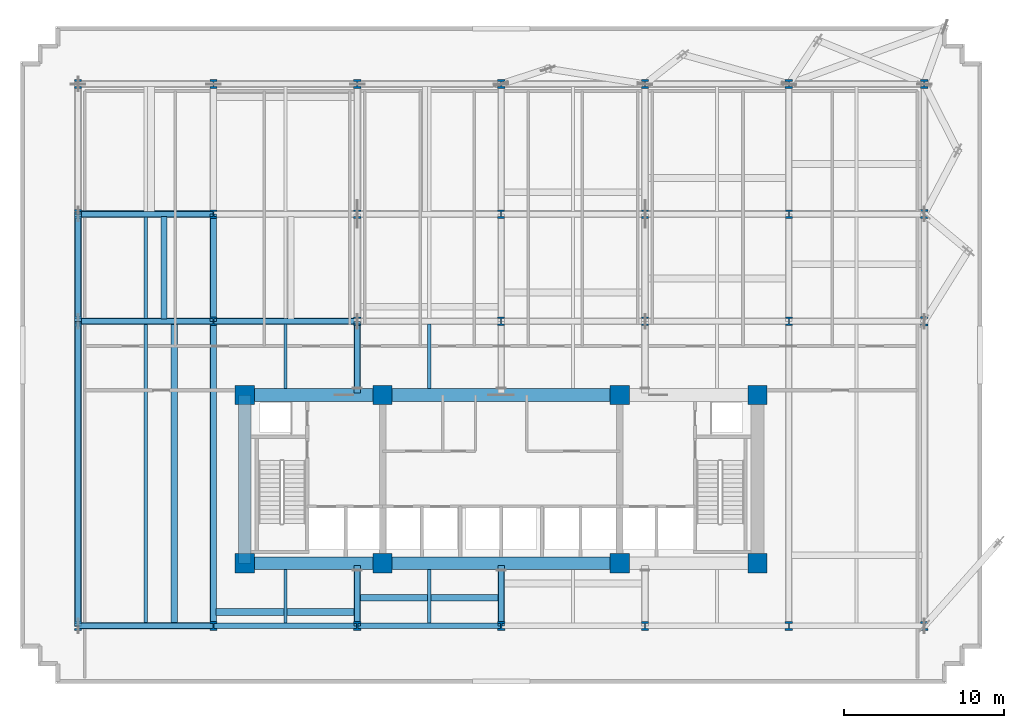
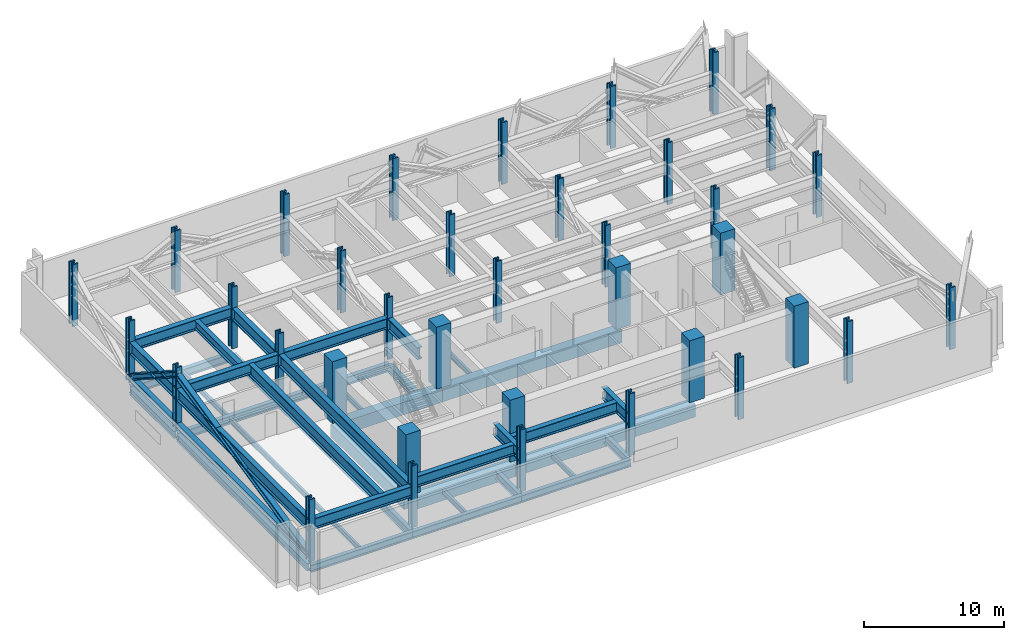
# One storey, part 1 of 9: 39 beams, 36 columns, 4 members.
"""IFC4 building model written with IfcOpenShell, lengths in metres."""

from ifc_helpers import new_model, si_unit, direction, frame, origin, origin_2d, place, context, subcontext, project, spatial, rectangle, i_section, extrude, material, material_profile, profile_set, type_object, element, save


model = new_model("IFC4")

# Units and contexts
model_context = context("Model", 3, precision=1e-05, world=origin(), true_north=direction((0.0, 1.0)))
body_context = subcontext(model_context, "Body", "Model", "MODEL_VIEW")
ifc_project = project(units=[si_unit("LENGTHUNIT", "METRE"), si_unit("AREAUNIT", "SQUARE_METRE"), si_unit("VOLUMEUNIT", "CUBIC_METRE"), si_unit("PLANEANGLEUNIT", "RADIAN"), si_unit("MASSUNIT", "GRAM", prefix="KILO")], contexts=[model_context])

# Site, building, storey
site_placement = place(None, origin())
site = spatial("IfcSite", under=ifc_project, at=site_placement, CompositionType="ELEMENT")
building_placement = place(site_placement, origin())
building = spatial("IfcBuilding", under=site, at=building_placement, Name="Solmavex Isthmus Hotel", CompositionType="ELEMENT")
storey_placement = place(building_placement, frame((0.0, 0.0, 74.699951171875)))
storey = spatial("IfcBuildingStorey", under=building, at=storey_placement, Name="L20", CompositionType="ELEMENT", Elevation=74.699951171875)

# Columns
ifc_material_1 = material(Name="Concrete C70/85", Category="concrete")
ifc_material_profile_1 = material_profile(ifc_material_1, rectangle(XDim=1.199951171875, YDim=1.199951171875, at=origin_2d()), Name="RC1200X1200")
ifc_profile_set_1 = profile_set([ifc_material_profile_1], Name="Concrete C70/85")
column_type_1 = type_object("IfcColumnType", Name="COL-CC-1200", PredefinedType="COLUMN", material=ifc_profile_set_1)
for number, where, z_axis, x_axis, name in (
    (1, (-16.0, -13.0, 0.0), (0.0, 0.0, 1.0), (1.0, 0.0, 0.0), "Core Pilaster CC-SW L20"),
    (2, (-7.39990234375, -13.0, 0.0), (0.0, 0.0, 1.0), (1.0, 0.0, 0.0), "Core Pilaster CC-S1 L20"),
    (3, (7.39990234375, -13.0, 0.0), (0.0, 0.0, 1.0), (1.0, 0.0, 0.0), "Core Pilaster CC-S2 L20"),
    (4, (16.0, -13.0, 0.0), (0.0, 0.0, 1.0), (1.0, 0.0, 0.0), "Core Pilaster CC-SE L20"),
    (5, (-16.0, -2.5, 0.0), (0.0, 0.0, 1.0), (1.0, 0.0, 0.0), "Core Pilaster CC-NW L20"),
    (6, (-7.39990234375, -2.5, 0.0), (0.0, 0.0, 1.0), (1.0, 0.0, 0.0), "Core Pilaster CC-N1 L20"),
    (7, (7.39990234375, -2.5, 0.0), (0.0, 0.0, 1.0), (1.0, 0.0, 0.0), "Core Pilaster CC-N2 L20"),
    (8, (16.0, -2.5, 0.0), (0.0, 0.0, 1.0), (1.0, 0.0, 0.0), "Core Pilaster CC-NE L20"),
):
    element("IfcColumn", number, at=place(storey_placement, frame(where, z_axis=z_axis, x_axis=x_axis)), inside=storey, type_object=column_type_1, Name=name, PredefinedType="COLUMN", context=body_context, shape_type="SweptSolid", body=[
        extrude(rectangle(XDim=1.199951171875, YDim=1.199951171875, at=origin_2d()), origin(), (0.0, 0.0, 1.0), 5.400146484375),
    ])
ifc_material_2 = material(Name="Steel ASTM A913 Grade 65", Category="steel")
ifc_material_profile_2 = material_profile(ifc_material_2, i_section(OverallWidth=0.442138671875, OverallDepth=0.531494140625, WebThickness=0.06591796875, FlangeThickness=0.105712890625, FilletRadius=0.030517578125, at=origin_2d()), Name="W14X605")
ifc_profile_set_2 = profile_set([ifc_material_profile_2], Name="Steel ASTM A913 Grade 65")
column_type_2 = type_object("IfcColumnType", Name="COL-SC-W14X605", PredefinedType="COLUMN", material=ifc_profile_set_2)
for number, where, z_axis, x_axis, name in (
    (9, (-17.951904296875, 2.10009765625, 0.0), (0.0, 0.0, 1.0), (1.0, 0.0, 0.0), "Tower Column B1-U2V2 L20"),
    (10, (-17.951904296875, 8.7880859375, 0.0), (0.0, 0.0, 1.0), (1.0, 0.0, 0.0), "Tower Column B1-U2V3 L20"),
    (11, (-8.97607421875, 2.10009765625, 0.0), (0.0, 0.0, 1.0), (1.0, 0.0, 0.0), "Tower Column B1-U3V2 L20"),
    (12, (-8.97607421875, 8.7880859375, 0.0), (0.0, 0.0, 1.0), (1.0, 0.0, 0.0), "Tower Column B1-U3V3 L20"),
    (13, (0.0, 2.10009765625, 0.0), (0.0, 0.0, 1.0), (1.0, 0.0, 0.0), "Tower Column B1-U4V2 L20"),
    (14, (0.0, 8.7880859375, 0.0), (0.0, 0.0, 1.0), (1.0, 0.0, 0.0), "Tower Column B1-U4V3 L20"),
    (15, (8.97607421875, 2.10009765625, 0.0), (0.0, 0.0, 1.0), (1.0, 0.0, 0.0), "Tower Column B1-U5V2 L20"),
    (16, (8.97607421875, 8.7880859375, 0.0), (0.0, 0.0, 1.0), (1.0, 0.0, 0.0), "Tower Column B1-U5V3 L20"),
    (17, (17.951904296875, 2.10009765625, 0.0), (0.0, 0.0, 1.0), (1.0, 0.0, 0.0), "Tower Column B1-U6V2 L20"),
    (18, (17.951904296875, 8.7880859375, 0.0), (0.0, 0.0, 1.0), (1.0, 0.0, 0.0), "Tower Column B1-U6V3 L20"),
):
    element("IfcColumn", number, at=place(storey_placement, frame(where, z_axis=z_axis, x_axis=x_axis)), inside=storey, type_object=column_type_2, Name=name, PredefinedType="COLUMN", context=body_context, shape_type="SweptSolid", body=[
        extrude(i_section(OverallWidth=0.442138671875, OverallDepth=0.531494140625, WebThickness=0.06591796875, FlangeThickness=0.105712890625, FilletRadius=0.030517578125, at=origin_2d()), origin(), (0.0, 0.0, 1.0), 5.400146484375),
    ])
ifc_material_profile_3 = material_profile(ifc_material_2, i_section(OverallWidth=0.454345703125, OverallDepth=0.569091796875, WebThickness=0.077880859375, FlangeThickness=0.124755859375, FilletRadius=0.030517578125, at=origin_2d()), Name="W14X730")
ifc_profile_set_3 = profile_set([ifc_material_profile_3], Name="Steel ASTM A913 Grade 65")
column_type_3 = type_object("IfcColumnType", Name="COL-SC-W14X730", PredefinedType="COLUMN", material=ifc_profile_set_3)
for number, where, z_axis, x_axis, name in (
    (19, (-26.39990234375, -16.89990234375, 0.0), (0.0, 0.0, 1.0), (1.0, 0.0, 0.0), "Tower Column B1-U1V1 L20"),
    (20, (-26.39990234375, 2.10009765625, 0.0), (0.0, 0.0, 1.0), (1.0, 0.0, 0.0), "Tower Column B1-U1V2 L20"),
    (21, (-26.39990234375, 8.7880859375, 0.0), (0.0, 0.0, 1.0), (1.0, 0.0, 0.0), "Tower Column B1-U1V3 L20"),
    (22, (-26.39990234375, 16.89990234375, 0.0), (0.0, 0.0, 1.0), (1.0, 0.0, 0.0), "Tower Column B1-U1V4 L20"),
    (23, (-17.951904296875, -16.89990234375, 0.0), (0.0, 0.0, 1.0), (1.0, 0.0, 0.0), "Tower Column B1-U2V1 L20"),
    (24, (-17.951904296875, 16.89990234375, 0.0), (0.0, 0.0, 1.0), (1.0, 0.0, 0.0), "Tower Column B1-U2V4 L20"),
    (25, (-8.97607421875, -16.89990234375, 0.0), (0.0, 0.0, 1.0), (1.0, 0.0, 0.0), "Tower Column B1-U3V1 L20"),
    (26, (-8.97607421875, 16.89990234375, 0.0), (0.0, 0.0, 1.0), (1.0, 0.0, 0.0), "Tower Column B1-U3V4 L20"),
    (27, (0.0, -16.89990234375, 0.0), (0.0, 0.0, 1.0), (1.0, 0.0, 0.0), "Tower Column B1-U4V1 L20"),
    (28, (0.0, 16.89990234375, 0.0), (0.0, 0.0, 1.0), (1.0, 0.0, 0.0), "Tower Column B1-U4V4 L20"),
    (29, (8.97607421875, -16.89990234375, 0.0), (0.0, 0.0, 1.0), (1.0, 0.0, 0.0), "Tower Column B1-U5V1 L20"),
    (30, (8.97607421875, 16.89990234375, 0.0), (0.0, 0.0, 1.0), (1.0, 0.0, 0.0), "Tower Column B1-U5V4 L20"),
    (31, (17.951904296875, -16.89990234375, 0.0), (0.0, 0.0, 1.0), (1.0, 0.0, 0.0), "Tower Column B1-U6V1 L20"),
    (32, (17.951904296875, 16.89990234375, 0.0), (0.0, 0.0, 1.0), (1.0, 0.0, 0.0), "Tower Column B1-U6V4 L20"),
    (33, (26.39990234375, -16.89990234375, 0.0), (0.0, 0.0, 1.0), (1.0, 0.0, 0.0), "Tower Column B1-U7V1 L20"),
    (34, (26.39990234375, 2.10009765625, 0.0), (0.0, 0.0, 1.0), (1.0, 0.0, 0.0), "Tower Column B1-U7V2 L20"),
    (35, (26.39990234375, 8.7880859375, 0.0), (0.0, 0.0, 1.0), (1.0, 0.0, 0.0), "Tower Column B1-U7V3 L20"),
    (36, (26.39990234375, 16.89990234375, 0.0), (0.0, 0.0, 1.0), (1.0, 0.0, 0.0), "Tower Column B1-U7V4 L20"),
):
    element("IfcColumn", number, at=place(storey_placement, frame(where, z_axis=z_axis, x_axis=x_axis)), inside=storey, type_object=column_type_3, Name=name, PredefinedType="COLUMN", context=body_context, shape_type="SweptSolid", body=[
        extrude(i_section(OverallWidth=0.454345703125, OverallDepth=0.569091796875, WebThickness=0.077880859375, FlangeThickness=0.124755859375, FilletRadius=0.030517578125, at=origin_2d()), origin(), (0.0, 0.0, 1.0), 5.400146484375),
    ])

# Beams
ifc_material_3 = material(Name="Steel ASTM A992 Grade 50", Category="steel")
ifc_material_profile_4 = material_profile(ifc_material_3, i_section(OverallWidth=0.354736328125, OverallDepth=0.695556640625, WebThickness=0.015380859375, FlangeThickness=0.02490234375, FilletRadius=0.017822265625, at=origin_2d()), Name="W27X146")
ifc_profile_set_4 = profile_set([ifc_material_profile_4], Name="Steel ASTM A992 Grade 50")
beam_type_1 = type_object("IfcBeamType", Name="BM-BG-W27X146", PredefinedType="BEAM", material=ifc_profile_set_4)
beam_1_placement = place(storey_placement, frame((-26.39990234375, 2.10009765625, -0.797607421875), z_axis=(1.0, 0.0, 0.0), x_axis=(0.0, 1.0, 0.0)))
element("IfcBeam", 37, at=beam_1_placement, inside=storey, type_object=beam_type_1, Name="Floor Girder L20-UG07", PredefinedType="BEAM", context=body_context, shape_type="SweptSolid", body=[
    extrude(i_section(OverallWidth=0.354736328125, OverallDepth=0.695556640625, WebThickness=0.015380859375, FlangeThickness=0.02490234375, FilletRadius=0.017822265625, at=origin_2d()), origin(), (0.0, 0.0, 1.0), 8.447998046875),
])
beam_2_placement = place(storey_placement, frame((-17.951904296875, 2.10009765625, -0.797607421875), z_axis=(1.0, 0.0, 0.0), x_axis=(0.0, 1.0, 0.0)))
element("IfcBeam", 38, at=beam_2_placement, inside=storey, type_object=beam_type_1, Name="Floor Girder L20-UG08", PredefinedType="BEAM", context=body_context, shape_type="SweptSolid", body=[
    extrude(i_section(OverallWidth=0.354736328125, OverallDepth=0.695556640625, WebThickness=0.015380859375, FlangeThickness=0.02490234375, FilletRadius=0.017822265625, at=origin_2d()), origin(), (0.0, 0.0, 1.0), 8.975830078125),
])
beam_3_placement = place(storey_placement, frame((-26.39990234375, 8.7880859375, -0.797607421875), z_axis=(1.0, 0.0, 0.0), x_axis=(0.0, 1.0, 0.0)))
element("IfcBeam", 39, at=beam_3_placement, inside=storey, type_object=beam_type_1, Name="Floor Girder L20-UG13", PredefinedType="BEAM", context=body_context, shape_type="SweptSolid", body=[
    extrude(i_section(OverallWidth=0.354736328125, OverallDepth=0.695556640625, WebThickness=0.015380859375, FlangeThickness=0.02490234375, FilletRadius=0.017822265625, at=origin_2d()), origin(), (0.0, 0.0, 1.0), 8.447998046875),
])
beam_4_placement = place(storey_placement, frame((-17.951904296875, -16.73681640625, -0.797607421875), z_axis=(0.0, 1.0, 0.0), x_axis=(-1.0, 0.0, 0.0)))
element("IfcBeam", 40, at=beam_4_placement, inside=storey, type_object=beam_type_1, Name="Floor Beam L20-VG28", PredefinedType="BEAM", context=body_context, shape_type="SweptSolid", body=[
    extrude(i_section(OverallWidth=0.354736328125, OverallDepth=0.695556640625, WebThickness=0.015380859375, FlangeThickness=0.02490234375, FilletRadius=0.017822265625, at=origin_2d()), origin(), (0.0, 0.0, 1.0), 18.659423828125),
])
beam_5_placement = place(storey_placement, frame((-17.951904296875, 2.27734375, -0.797607421875), z_axis=(0.0, 1.0, 0.0), x_axis=(-1.0, 0.0, 0.0)))
element("IfcBeam", 41, at=beam_5_placement, inside=storey, type_object=beam_type_1, Name="Floor Beam L20-VG29", PredefinedType="BEAM", context=body_context, shape_type="SweptSolid", body=[
    extrude(i_section(OverallWidth=0.354736328125, OverallDepth=0.695556640625, WebThickness=0.015380859375, FlangeThickness=0.02490234375, FilletRadius=0.017822265625, at=origin_2d()), origin(), (0.0, 0.0, 1.0), 6.333251953125),
])
beam_6_placement = place(storey_placement, frame((-8.97607421875, -16.73681640625, -0.797607421875), z_axis=(0.0, 1.0, 0.0), x_axis=(-1.0, 0.0, 0.0)))
element("IfcBeam", 42, at=beam_6_placement, inside=storey, type_object=beam_type_1, Name="Floor Beam L20-VG31", PredefinedType="BEAM", context=body_context, shape_type="SweptSolid", body=[
    extrude(i_section(OverallWidth=0.354736328125, OverallDepth=0.695556640625, WebThickness=0.015380859375, FlangeThickness=0.02490234375, FilletRadius=0.017822265625, at=origin_2d()), origin(), (0.0, 0.0, 1.0), 3.3369140625),
])
beam_7_placement = place(storey_placement, frame((-8.97607421875, -2.10009765625, -0.797607421875), z_axis=(0.0, 1.0, 0.0), x_axis=(-1.0, 0.0, 0.0)))
element("IfcBeam", 43, at=beam_7_placement, inside=storey, type_object=beam_type_1, Name="Floor Beam L20-VG32", PredefinedType="BEAM", context=body_context, shape_type="SweptSolid", body=[
    extrude(i_section(OverallWidth=0.354736328125, OverallDepth=0.695556640625, WebThickness=0.015380859375, FlangeThickness=0.02490234375, FilletRadius=0.017822265625, at=origin_2d()), origin(), (0.0, 0.0, 1.0), 4.022705078125),
])
beam_8_placement = place(storey_placement, frame((0.0, -16.73681640625, -0.797607421875), z_axis=(0.0, 1.0, 0.0), x_axis=(-1.0, 0.0, 0.0)))
element("IfcBeam", 44, at=beam_8_placement, inside=storey, type_object=beam_type_1, Name="Floor Beam L20-VG35", PredefinedType="BEAM", context=body_context, shape_type="SweptSolid", body=[
    extrude(i_section(OverallWidth=0.354736328125, OverallDepth=0.695556640625, WebThickness=0.015380859375, FlangeThickness=0.02490234375, FilletRadius=0.017822265625, at=origin_2d()), origin(), (0.0, 0.0, 1.0), 3.3369140625),
])
ifc_material_profile_5 = material_profile(ifc_material_3, i_section(OverallWidth=0.380615234375, OverallDepth=0.773193359375, WebThickness=0.0166015625, FlangeThickness=0.027099609375, FilletRadius=0.01904296875, at=origin_2d()), Name="W30X173")
ifc_profile_set_5 = profile_set([ifc_material_profile_5], Name="Steel ASTM A992 Grade 50")
beam_type_2 = type_object("IfcBeamType", Name="BM-BG-W30X173", PredefinedType="BEAM", material=ifc_profile_set_5)
beam_9_placement = place(storey_placement, frame((-21.04150390625, 2.2548828125, 3.183349609375), z_axis=(0.0, 1.0, 0.0), x_axis=(-1.0, 0.0, 0.0)))
element("IfcBeam", 45, at=beam_9_placement, inside=storey, type_object=beam_type_2, Name="Floor Framing Cross Girder L20-XLC45", PredefinedType="BEAM", context=body_context, shape_type="SweptSolid", body=[
    extrude(i_section(OverallWidth=0.380615234375, OverallDepth=0.773193359375, WebThickness=0.0166015625, FlangeThickness=0.027099609375, FilletRadius=0.01904296875, at=origin_2d()), origin(), (0.0, 0.0, 1.0), 6.378173828125),
])
ifc_material_profile_6 = material_profile(ifc_material_3, i_section(OverallWidth=0.1904296875, OverallDepth=0.456787109375, WebThickness=0.009033203125, FlangeThickness=0.014404296875, FilletRadius=0.0126953125, at=origin_2d()), Name="W18X50")
ifc_profile_set_6 = profile_set([ifc_material_profile_6], Name="Steel ASTM A992 Grade 50")
beam_type_3 = type_object("IfcBeamType", Name="BM-BJ-W18X50", PredefinedType="JOIST", material=ifc_profile_set_6)
beam_10_placement = place(storey_placement, frame((-22.176025390625, -16.73681640625, -0.678466796875), z_axis=(0.0, 1.0, 0.0), x_axis=(-1.0, 0.0, 0.0)))
element("IfcBeam", 46, at=beam_10_placement, inside=storey, type_object=beam_type_3, Name="Secondary Floor Joist L20-J01", PredefinedType="JOIST", context=body_context, shape_type="SweptSolid", body=[
    extrude(i_section(OverallWidth=0.1904296875, OverallDepth=0.456787109375, WebThickness=0.009033203125, FlangeThickness=0.014404296875, FilletRadius=0.0126953125, at=origin_2d()), origin(), (0.0, 0.0, 1.0), 18.659423828125),
])
beam_11_placement = place(storey_placement, frame((-22.176025390625, 2.27734375, -0.678466796875), z_axis=(0.0, 1.0, 0.0), x_axis=(-1.0, 0.0, 0.0)))
element("IfcBeam", 47, at=beam_11_placement, inside=storey, type_object=beam_type_3, Name="Secondary Floor Joist L20-J02", PredefinedType="JOIST", context=body_context, shape_type="SweptSolid", body=[
    extrude(i_section(OverallWidth=0.1904296875, OverallDepth=0.456787109375, WebThickness=0.009033203125, FlangeThickness=0.014404296875, FilletRadius=0.0126953125, at=origin_2d()), origin(), (0.0, 0.0, 1.0), 6.333251953125),
])
beam_12_placement = place(storey_placement, frame((-13.464111328125, -16.73681640625, -0.678466796875), z_axis=(0.0, 1.0, 0.0), x_axis=(-1.0, 0.0, 0.0)))
element("IfcBeam", 48, at=beam_12_placement, inside=storey, type_object=beam_type_3, Name="Secondary Floor Joist L20-J04", PredefinedType="JOIST", context=body_context, shape_type="SweptSolid", body=[
    extrude(i_section(OverallWidth=0.1904296875, OverallDepth=0.456787109375, WebThickness=0.009033203125, FlangeThickness=0.014404296875, FilletRadius=0.0126953125, at=origin_2d()), origin(), (0.0, 0.0, 1.0), 3.3369140625),
])
beam_13_placement = place(storey_placement, frame((-13.464111328125, -2.10009765625, -0.678466796875), z_axis=(0.0, 1.0, 0.0), x_axis=(-1.0, 0.0, 0.0)))
element("IfcBeam", 49, at=beam_13_placement, inside=storey, type_object=beam_type_3, Name="Secondary Floor Joist L20-J05", PredefinedType="JOIST", context=body_context, shape_type="SweptSolid", body=[
    extrude(i_section(OverallWidth=0.1904296875, OverallDepth=0.456787109375, WebThickness=0.009033203125, FlangeThickness=0.014404296875, FilletRadius=0.0126953125, at=origin_2d()), origin(), (0.0, 0.0, 1.0), 4.022705078125),
])
beam_14_placement = place(storey_placement, frame((-4.488037109375, -16.73681640625, -0.678466796875), z_axis=(0.0, 1.0, 0.0), x_axis=(-1.0, 0.0, 0.0)))
element("IfcBeam", 50, at=beam_14_placement, inside=storey, type_object=beam_type_3, Name="Secondary Floor Joist L20-J08", PredefinedType="JOIST", context=body_context, shape_type="SweptSolid", body=[
    extrude(i_section(OverallWidth=0.1904296875, OverallDepth=0.456787109375, WebThickness=0.009033203125, FlangeThickness=0.014404296875, FilletRadius=0.0126953125, at=origin_2d()), origin(), (0.0, 0.0, 1.0), 3.3369140625),
])
beam_15_placement = place(storey_placement, frame((-4.488037109375, -2.10009765625, -0.678466796875), z_axis=(0.0, 1.0, 0.0), x_axis=(-1.0, 0.0, 0.0)))
element("IfcBeam", 51, at=beam_15_placement, inside=storey, type_object=beam_type_3, Name="Secondary Floor Joist L20-J09", PredefinedType="JOIST", context=body_context, shape_type="SweptSolid", body=[
    extrude(i_section(OverallWidth=0.1904296875, OverallDepth=0.456787109375, WebThickness=0.009033203125, FlangeThickness=0.014404296875, FilletRadius=0.0126953125, at=origin_2d()), origin(), (0.0, 0.0, 1.0), 4.022705078125),
])
ifc_material_profile_7 = material_profile(ifc_material_1, rectangle(XDim=0.800048828125, YDim=1.10009765625, at=origin_2d()), Name="RC800X1100")
ifc_profile_set_7 = profile_set([ifc_material_profile_7], Name="Concrete C70/85")
beam_type_4 = type_object("IfcBeamType", Name="BM-CB-800X1100", PredefinedType="BEAM", material=ifc_profile_set_7)
beam_16_placement = place(storey_placement, frame((-16.0, -13.0, -1.0), z_axis=(1.0, 0.0, 0.0), x_axis=(0.0, 1.0, 0.0)))
element("IfcBeam", 52, at=beam_16_placement, inside=storey, type_object=beam_type_4, Name="Core Coupling Beam L20-CB1", PredefinedType="BEAM", context=body_context, shape_type="SweptSolid", body=[
    extrude(rectangle(XDim=0.800048828125, YDim=1.10009765625, at=origin_2d()), origin(), (0.0, 0.0, 1.0), 8.60009765625),
])
beam_17_placement = place(storey_placement, frame((-7.39990234375, -13.0, -1.0), z_axis=(1.0, 0.0, 0.0), x_axis=(0.0, 1.0, 0.0)))
element("IfcBeam", 53, at=beam_17_placement, inside=storey, type_object=beam_type_4, Name="Core Coupling Beam L20-CB2", PredefinedType="BEAM", context=body_context, shape_type="SweptSolid", body=[
    extrude(rectangle(XDim=0.800048828125, YDim=1.10009765625, at=origin_2d()), origin(), (0.0, 0.0, 1.0), 14.7998046875),
])
beam_18_placement = place(storey_placement, frame((-16.0, -2.5, -0.889892578125), z_axis=(1.0, 0.0, 0.0), x_axis=(0.0, 1.0, 0.0)))
element("IfcBeam", 54, at=beam_18_placement, inside=storey, type_object=beam_type_4, Name="Core Coupling Beam L20-CB4", PredefinedType="BEAM", context=body_context, shape_type="SweptSolid", body=[
    extrude(rectangle(XDim=0.800048828125, YDim=1.10009765625, at=origin_2d()), origin(), (0.0, 0.0, 1.0), 8.60009765625),
])
beam_19_placement = place(storey_placement, frame((-7.39990234375, -2.5, -0.889892578125), z_axis=(1.0, 0.0, 0.0), x_axis=(0.0, 1.0, 0.0)))
element("IfcBeam", 55, at=beam_19_placement, inside=storey, type_object=beam_type_4, Name="Core Coupling Beam L20-CB5", PredefinedType="BEAM", context=body_context, shape_type="SweptSolid", body=[
    extrude(rectangle(XDim=0.800048828125, YDim=1.10009765625, at=origin_2d()), origin(), (0.0, 0.0, 1.0), 14.7998046875),
])
beam_20_placement = place(storey_placement, frame((-16.0, -13.0, -1.0), z_axis=(0.0, 1.0, 0.0), x_axis=(-1.0, 0.0, 0.0)))
element("IfcBeam", 56, at=beam_20_placement, inside=storey, type_object=beam_type_4, Name="Core Coupling Beam L20-CB7", PredefinedType="BEAM", context=body_context, shape_type="SweptSolid", body=[
    extrude(rectangle(XDim=0.800048828125, YDim=1.10009765625, at=origin_2d()), origin(), (0.0, 0.0, 1.0), 10.5),
])
ifc_material_profile_8 = material_profile(ifc_material_3, i_section(OverallWidth=0.326416015625, OverallDepth=0.621826171875, WebThickness=0.015380859375, FlangeThickness=0.0244140625, FilletRadius=0.01513671875, at=origin_2d()), Name="W24X131")
ifc_profile_set_8 = profile_set([ifc_material_profile_8], Name="Steel ASTM A992 Grade 50")
beam_type_5 = type_object("IfcBeamType", Name="BM-SP-W24X131", PredefinedType="SPANDREL", material=ifc_profile_set_8)
beam_21_placement = place(storey_placement, frame((-26.39990234375, -16.89990234375, -0.7607421875), z_axis=(1.0, 0.0, 0.0), x_axis=(0.0, 1.0, 0.0)))
element("IfcBeam", 57, at=beam_21_placement, inside=storey, type_object=beam_type_5, Name="Floor Girder L20-UG01", PredefinedType="SPANDREL", context=body_context, shape_type="SweptSolid", body=[
    extrude(i_section(OverallWidth=0.326416015625, OverallDepth=0.621826171875, WebThickness=0.015380859375, FlangeThickness=0.0244140625, FilletRadius=0.01513671875, at=origin_2d()), origin(), (0.0, 0.0, 1.0), 8.447998046875),
])
beam_22_placement = place(storey_placement, frame((-17.951904296875, -16.89990234375, -0.7607421875), z_axis=(1.0, 0.0, 0.0), x_axis=(0.0, 1.0, 0.0)))
element("IfcBeam", 58, at=beam_22_placement, inside=storey, type_object=beam_type_5, Name="Floor Girder L20-UG02", PredefinedType="SPANDREL", context=body_context, shape_type="SweptSolid", body=[
    extrude(i_section(OverallWidth=0.326416015625, OverallDepth=0.621826171875, WebThickness=0.015380859375, FlangeThickness=0.0244140625, FilletRadius=0.01513671875, at=origin_2d()), origin(), (0.0, 0.0, 1.0), 8.975830078125),
])
beam_23_placement = place(storey_placement, frame((-8.97607421875, -16.89990234375, -0.7607421875), z_axis=(1.0, 0.0, 0.0), x_axis=(0.0, 1.0, 0.0)))
element("IfcBeam", 59, at=beam_23_placement, inside=storey, type_object=beam_type_5, Name="Floor Girder L20-UG03", PredefinedType="SPANDREL", context=body_context, shape_type="SweptSolid", body=[
    extrude(i_section(OverallWidth=0.326416015625, OverallDepth=0.621826171875, WebThickness=0.015380859375, FlangeThickness=0.0244140625, FilletRadius=0.01513671875, at=origin_2d()), origin(), (0.0, 0.0, 1.0), 8.97607421875),
])
beam_24_placement = place(storey_placement, frame((-26.39990234375, -16.73681640625, -0.7607421875), z_axis=(0.0, 1.0, 0.0), x_axis=(-1.0, 0.0, 0.0)))
element("IfcBeam", 60, at=beam_24_placement, inside=storey, type_object=beam_type_5, Name="Floor Beam L20-VG25", PredefinedType="SPANDREL", context=body_context, shape_type="SweptSolid", body=[
    extrude(i_section(OverallWidth=0.326416015625, OverallDepth=0.621826171875, WebThickness=0.015380859375, FlangeThickness=0.0244140625, FilletRadius=0.01513671875, at=origin_2d()), origin(), (0.0, 0.0, 1.0), 18.659423828125),
])
beam_25_placement = place(storey_placement, frame((-26.39990234375, 2.27734375, -0.7607421875), z_axis=(0.0, 1.0, 0.0), x_axis=(-1.0, 0.0, 0.0)))
element("IfcBeam", 61, at=beam_25_placement, inside=storey, type_object=beam_type_5, Name="Floor Beam L20-VG26", PredefinedType="SPANDREL", context=body_context, shape_type="SweptSolid", body=[
    extrude(i_section(OverallWidth=0.326416015625, OverallDepth=0.621826171875, WebThickness=0.015380859375, FlangeThickness=0.0244140625, FilletRadius=0.01513671875, at=origin_2d()), origin(), (0.0, 0.0, 1.0), 6.333251953125),
])
ifc_material_profile_9 = material_profile(ifc_material_2, i_section(OverallWidth=0.423095703125, OverallDepth=0.93896484375, WebThickness=0.02392578125, FlangeThickness=0.042724609375, FilletRadius=0.024169921875, at=origin_2d()), Name="W36X302")
ifc_profile_set_9 = profile_set([ifc_material_profile_9], Name="Steel ASTM A913 Grade 65")
beam_type_6 = type_object("IfcBeamType", Name="BM-TB-W36X302", PredefinedType="BEAM", material=ifc_profile_set_9)
for number, where, z_axis, x_axis, name in (
    (62, (-26.2451171875, -16.89990234375, 3.1005859375), (1.0, 0.0, 0.0), (0.0, 1.0, 0.0), "Horizontal Outrigger Collector Girder L20-XLC25"),
    (63, (-26.2451171875, 2.10009765625, 3.1005859375), (1.0, 0.0, 0.0), (0.0, 1.0, 0.0), "Horizontal Outrigger Collector Girder L20-XLC26"),
):
    element("IfcBeam", number, at=place(storey_placement, frame(where, z_axis=z_axis, x_axis=x_axis)), inside=storey, type_object=beam_type_6, Name=name, PredefinedType="BEAM", context=body_context, shape_type="SweptSolid", body=[
        extrude(i_section(OverallWidth=0.423095703125, OverallDepth=0.93896484375, WebThickness=0.02392578125, FlangeThickness=0.042724609375, FilletRadius=0.024169921875, at=origin_2d()), origin(), (0.0, 0.0, 1.0), 8.13818359375),
    ])
beam_26_placement = place(storey_placement, frame((-17.797119140625, 2.10009765625, 3.1005859375), z_axis=(1.0, 0.0, 0.0), x_axis=(0.0, 1.0, 0.0)))
element("IfcBeam", 64, at=beam_26_placement, inside=storey, type_object=beam_type_6, Name="Horizontal Outrigger Collector Girder L20-XLC27", PredefinedType="BEAM", context=body_context, shape_type="SweptSolid", body=[
    extrude(i_section(OverallWidth=0.423095703125, OverallDepth=0.93896484375, WebThickness=0.02392578125, FlangeThickness=0.042724609375, FilletRadius=0.024169921875, at=origin_2d()), origin(), (0.0, 0.0, 1.0), 8.666015625),
])
beam_27_placement = place(storey_placement, frame((-26.2451171875, 8.7880859375, 3.1005859375), z_axis=(1.0, 0.0, 0.0), x_axis=(0.0, 1.0, 0.0)))
element("IfcBeam", 65, at=beam_27_placement, inside=storey, type_object=beam_type_6, Name="Horizontal Outrigger Collector Girder L20-XLC32", PredefinedType="BEAM", context=body_context, shape_type="SweptSolid", body=[
    extrude(i_section(OverallWidth=0.423095703125, OverallDepth=0.93896484375, WebThickness=0.02392578125, FlangeThickness=0.042724609375, FilletRadius=0.024169921875, at=origin_2d()), origin(), (0.0, 0.0, 1.0), 8.13818359375),
])
for number, where, z_axis, x_axis, name in (
    (66, (-17.797119140625, -16.031494140625, 3.1005859375), (1.0, 0.0, 0.0), (0.0, 1.0, 0.0), "Horizontal Outrigger Collector Girder L20-XLC47"),
    (67, (-8.821044921875, -15.146484375, 3.1005859375), (1.0, 0.0, 0.0), (0.0, 1.0, 0.0), "Horizontal Outrigger Collector Girder L20-XLC50"),
):
    element("IfcBeam", number, at=place(storey_placement, frame(where, z_axis=z_axis, x_axis=x_axis)), inside=storey, type_object=beam_type_6, Name=name, PredefinedType="BEAM", context=body_context, shape_type="SweptSolid", body=[
        extrude(i_section(OverallWidth=0.423095703125, OverallDepth=0.93896484375, WebThickness=0.02392578125, FlangeThickness=0.042724609375, FilletRadius=0.024169921875, at=origin_2d()), origin(), (0.0, 0.0, 1.0), 8.666015625),
    ])
ifc_material_profile_10 = material_profile(ifc_material_2, i_section(OverallWidth=0.409423828125, OverallDepth=1.036376953125, WebThickness=0.031005859375, FlangeThickness=0.055908203125, FilletRadius=0.030517578125, at=origin_2d()), Name="W40X397")
ifc_profile_set_10 = profile_set([ifc_material_profile_10], Name="Steel ASTM A913 Grade 65")
beam_type_7 = type_object("IfcBeamType", Name="BM-TB-W40X397B", PredefinedType="BEAM", material=ifc_profile_set_10)
beam_28_placement = place(storey_placement, frame((-26.39990234375, -16.89990234375, 3.052001953125), z_axis=(0.0, 1.0, 0.0), x_axis=(-1.0, 0.0, 0.0)))
element("IfcBeam", 68, at=beam_28_placement, inside=storey, type_object=beam_type_7, Name="Horizontal Transfer Carrier Girder L20-XLC01", PredefinedType="BEAM", context=body_context, shape_type="SweptSolid", body=[
    extrude(i_section(OverallWidth=0.409423828125, OverallDepth=1.036376953125, WebThickness=0.031005859375, FlangeThickness=0.055908203125, FilletRadius=0.030517578125, at=origin_2d()), origin(), (0.0, 0.0, 1.0), 19.0),
])
beam_29_placement = place(storey_placement, frame((-26.39990234375, 2.10009765625, 3.052001953125), z_axis=(0.0, 1.0, 0.0), x_axis=(-1.0, 0.0, 0.0)))
element("IfcBeam", 69, at=beam_29_placement, inside=storey, type_object=beam_type_7, Name="Horizontal Transfer Carrier Girder L20-XLC02", PredefinedType="BEAM", context=body_context, shape_type="SweptSolid", body=[
    extrude(i_section(OverallWidth=0.409423828125, OverallDepth=1.036376953125, WebThickness=0.031005859375, FlangeThickness=0.055908203125, FilletRadius=0.030517578125, at=origin_2d()), origin(), (0.0, 0.0, 1.0), 6.68798828125),
])
beam_30_placement = place(storey_placement, frame((-17.951904296875, -16.89990234375, 3.052001953125), z_axis=(0.0, 1.0, 0.0), x_axis=(-1.0, 0.0, 0.0)))
element("IfcBeam", 70, at=beam_30_placement, inside=storey, type_object=beam_type_7, Name="Horizontal Transfer Carrier Girder L20-XLC04", PredefinedType="BEAM", context=body_context, shape_type="SweptSolid", body=[
    extrude(i_section(OverallWidth=0.409423828125, OverallDepth=1.036376953125, WebThickness=0.031005859375, FlangeThickness=0.055908203125, FilletRadius=0.030517578125, at=origin_2d()), origin(), (0.0, 0.0, 1.0), 19.0),
])
beam_31_placement = place(storey_placement, frame((-17.951904296875, 2.10009765625, 3.052001953125), z_axis=(0.0, 1.0, 0.0), x_axis=(-1.0, 0.0, 0.0)))
element("IfcBeam", 71, at=beam_31_placement, inside=storey, type_object=beam_type_7, Name="Horizontal Transfer Carrier Girder L20-XLC05", PredefinedType="BEAM", context=body_context, shape_type="SweptSolid", body=[
    extrude(i_section(OverallWidth=0.409423828125, OverallDepth=1.036376953125, WebThickness=0.031005859375, FlangeThickness=0.055908203125, FilletRadius=0.030517578125, at=origin_2d()), origin(), (0.0, 0.0, 1.0), 6.68798828125),
])
beam_32_placement = place(storey_placement, frame((-8.97607421875, -16.89990234375, 3.052001953125), z_axis=(0.0, 1.0, 0.0), x_axis=(-1.0, 0.0, 0.0)))
element("IfcBeam", 72, at=beam_32_placement, inside=storey, type_object=beam_type_7, Name="Horizontal Transfer Carrier Girder L20-XLC07", PredefinedType="BEAM", context=body_context, shape_type="SweptSolid", body=[
    extrude(i_section(OverallWidth=0.409423828125, OverallDepth=1.036376953125, WebThickness=0.031005859375, FlangeThickness=0.055908203125, FilletRadius=0.030517578125, at=origin_2d()), origin(), (0.0, 0.0, 1.0), 3.77001953125),
])
beam_33_placement = place(storey_placement, frame((-8.97607421875, -2.3701171875, 3.052001953125), z_axis=(0.0, 1.0, 0.0), x_axis=(-1.0, 0.0, 0.0)))
element("IfcBeam", 73, at=beam_33_placement, inside=storey, type_object=beam_type_7, Name="Horizontal Transfer Carrier Girder L20-XLC08", PredefinedType="BEAM", context=body_context, shape_type="SweptSolid", body=[
    extrude(i_section(OverallWidth=0.409423828125, OverallDepth=1.036376953125, WebThickness=0.031005859375, FlangeThickness=0.055908203125, FilletRadius=0.030517578125, at=origin_2d()), origin(), (0.0, 0.0, 1.0), 4.47021484375),
])
beam_34_placement = place(storey_placement, frame((0.0, -16.89990234375, 3.052001953125), z_axis=(0.0, 1.0, 0.0), x_axis=(-1.0, 0.0, 0.0)))
element("IfcBeam", 74, at=beam_34_placement, inside=storey, type_object=beam_type_7, Name="Horizontal Transfer Carrier Girder L20-XLC11", PredefinedType="BEAM", context=body_context, shape_type="SweptSolid", body=[
    extrude(i_section(OverallWidth=0.409423828125, OverallDepth=1.036376953125, WebThickness=0.031005859375, FlangeThickness=0.055908203125, FilletRadius=0.030517578125, at=origin_2d()), origin(), (0.0, 0.0, 1.0), 3.77001953125),
])
beam_35_placement = place(storey_placement, frame((-20.383056640625, -16.7451171875, 3.052001953125), z_axis=(0.0, 1.0, 0.0), x_axis=(-1.0, 0.0, 0.0)))
element("IfcBeam", 75, at=beam_35_placement, inside=storey, type_object=beam_type_7, Name="Horizontal Transfer Carrier Girder L20-XLC44", PredefinedType="BEAM", context=body_context, shape_type="SweptSolid", body=[
    extrude(i_section(OverallWidth=0.409423828125, OverallDepth=1.036376953125, WebThickness=0.031005859375, FlangeThickness=0.055908203125, FilletRadius=0.030517578125, at=origin_2d()), origin(), (0.0, 0.0, 1.0), 18.690185546875),
])

# Members
ifc_material_profile_11 = material_profile(ifc_material_2, i_section(OverallWidth=0.412109375, OverallDepth=0.434814453125, WebThickness=0.035888671875, FlangeThickness=0.057373046875, FilletRadius=0.030517578125, at=origin_2d()), Name="W14X311")
ifc_profile_set_11 = profile_set([ifc_material_profile_11], Name="Steel ASTM A913 Grade 65")
member_type_1 = type_object("IfcMemberType", Name="MEM-TC-W14X311", PredefinedType="CHORD", material=ifc_profile_set_11)
member_1_placement = place(storey_placement, frame((-26.39990234375, -16.89990234375, 0.35009765625), z_axis=(0.0, 1.0, 0.0), x_axis=(-1.0, 0.0, 0.0)))
element("IfcMember", 76, at=member_1_placement, inside=storey, type_object=member_type_1, Name="Outrigger and Belt Transfer Truss Bottom Chord BT-L20-W-07", PredefinedType="CHORD", context=body_context, shape_type="SweptSolid", body=[
    extrude(i_section(OverallWidth=0.412109375, OverallDepth=0.434814453125, WebThickness=0.035888671875, FlangeThickness=0.057373046875, FilletRadius=0.030517578125, at=origin_2d()), origin(), (0.0, 0.0, 1.0), 19.0),
])
member_2_placement = place(storey_placement, frame((-26.39990234375, 2.10009765625, 0.35009765625), z_axis=(0.0, 1.0, 0.0), x_axis=(-1.0, 0.0, 0.0)))
element("IfcMember", 77, at=member_2_placement, inside=storey, type_object=member_type_1, Name="Outrigger and Belt Transfer Truss Bottom Chord BT-L20-W-08", PredefinedType="CHORD", context=body_context, shape_type="SweptSolid", body=[
    extrude(i_section(OverallWidth=0.412109375, OverallDepth=0.434814453125, WebThickness=0.035888671875, FlangeThickness=0.057373046875, FilletRadius=0.030517578125, at=origin_2d()), origin(), (0.0, 0.0, 1.0), 6.68798828125),
])
ifc_material_profile_12 = material_profile(ifc_material_2, i_section(OverallWidth=0.43212890625, OverallDepth=0.497802734375, WebThickness=0.0556640625, FlangeThickness=0.0888671875, FilletRadius=0.030517578125, at=origin_2d()), Name="W14X500")
ifc_profile_set_12 = profile_set([ifc_material_profile_12], Name="Steel ASTM A913 Grade 65")
member_type_2 = type_object("IfcMemberType", Name="MEM-TM-W14X500", PredefinedType="BRACE", material=ifc_profile_set_12)
member_3_placement = place(storey_placement, frame((-26.39990234375, -16.89990234375, 0.35009765625), z_axis=(0.0, 0.975333615155, 0.220735903625), x_axis=(-1.0, 0.0, 0.0)))
element("IfcMember", 78, at=member_3_placement, inside=storey, type_object=member_type_2, Name="Outrigger and Belt Transfer Truss Diagonal Brace BT-L20-W-07", PredefinedType="BRACE", context=body_context, shape_type="SweptSolid", body=[
    extrude(i_section(OverallWidth=0.43212890625, OverallDepth=0.497802734375, WebThickness=0.0556640625, FlangeThickness=0.0888671875, FilletRadius=0.030517578125, at=origin_2d()), origin(), (0.0, 0.0, 1.0), 19.48046875),
])
member_4_placement = place(storey_placement, frame((-26.39990234375, 2.10009765625, 4.650146484375), z_axis=(0.0, 0.84114255823, -0.540813458352), x_axis=(-1.0, 0.0, 0.0)))
element("IfcMember", 79, at=member_4_placement, inside=storey, type_object=member_type_2, Name="Outrigger and Belt Transfer Truss Diagonal Brace BT-L20-W-08", PredefinedType="BRACE", context=body_context, shape_type="SweptSolid", body=[
    extrude(i_section(OverallWidth=0.43212890625, OverallDepth=0.497802734375, WebThickness=0.0556640625, FlangeThickness=0.0888671875, FilletRadius=0.030517578125, at=origin_2d()), origin(), (0.0, 0.0, 1.0), 7.951171875),
])

save(model, "model.ifc")
